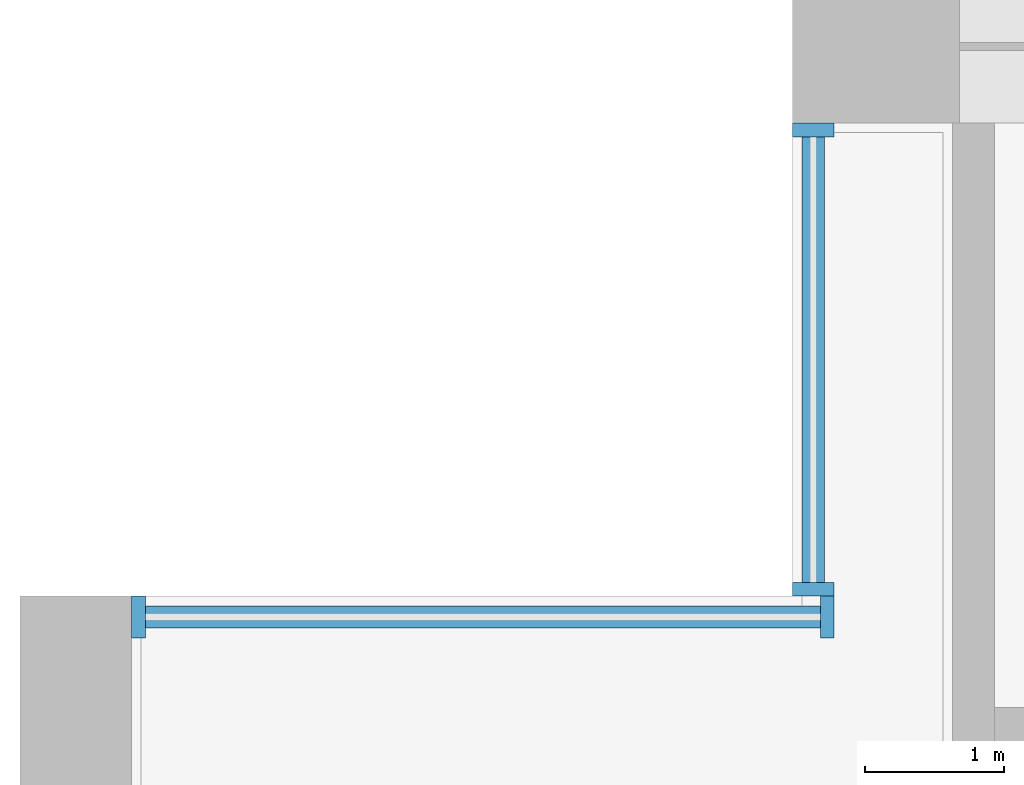
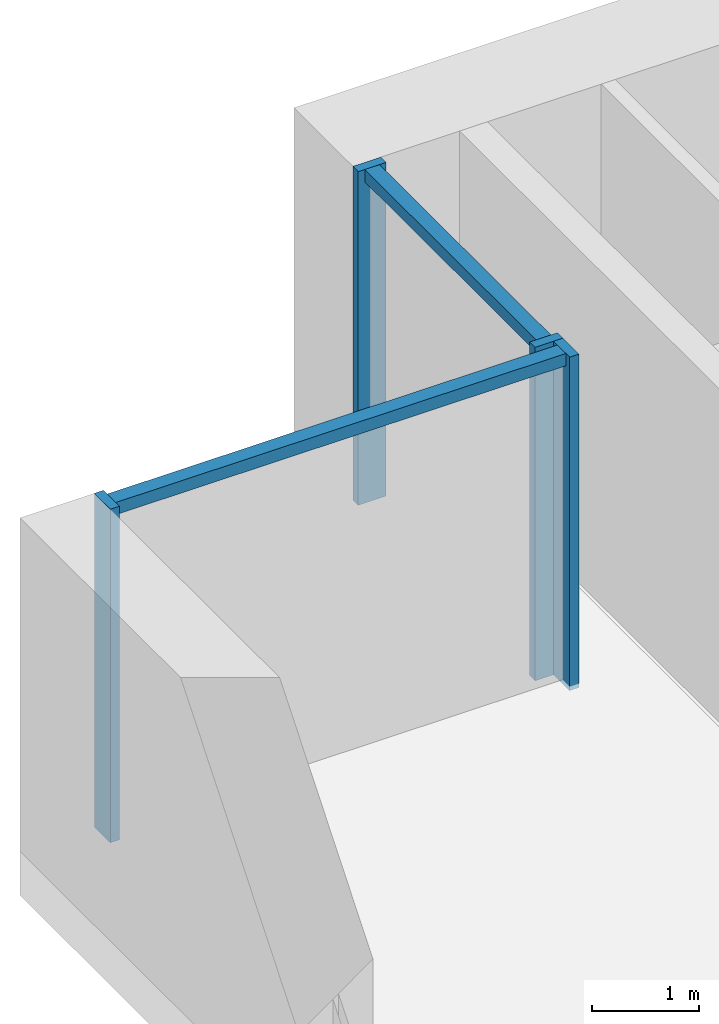
# One storey, part 4 of 17: 6 members, 2 elements without a shape of their own.
"""IFC4 building model written with IfcOpenShell, lengths in metres."""

import ifcopenshell
import ifcopenshell.guid

model = None  # the IFC model being written
_history = None  # IfcOwnerHistory: only IFC2X3 demands one
_inside = {}  # id of a spatial element -> (the spatial element, [elements in it])
_under = {}  # id of a project, library or spatial element -> (it, [spatial elements below it])
_declared = {}  # id of a project -> (the project, [libraries it declares])
_typed = {}  # id of a type object -> (the type object, [elements of that type])
_made_of = {}  # id of a material, layer set ... -> (it, [elements and type objects made of it])


def new_model(schema):
    """Start an empty IFC model of exactly this schema.

    Asked for "IFC4X3", IfcOpenShell would pick the latest addendum, in which some entities
    have other attributes; the version numbers below select the first issue.
    IFC2X3 requires an IfcOwnerHistory on every rooted entity: one is made here for all.
    """
    global model, _history
    if schema == "IFC4X3":
        model = ifcopenshell.file(schema_version=(4, 3, 0, 0))
    else:
        model = ifcopenshell.file(schema=schema)
    _inside.clear()
    _under.clear()
    _declared.clear()
    _typed.clear()
    _made_of.clear()
    _history = None
    if model.schema == "IFC2X3":
        org = make("IfcOrganization", Name="unknown")
        user = make(
            "IfcPersonAndOrganization",
            ThePerson=make("IfcPerson", FamilyName="unknown"),
            TheOrganization=org,
        )
        app = make(
            "IfcApplication",
            ApplicationDeveloper=org,
            Version="unknown",
            ApplicationFullName="unknown",
            ApplicationIdentifier="unknown",
        )
        _history = make(
            "IfcOwnerHistory",
            OwningUser=user,
            OwningApplication=app,
            ChangeAction="ADDED",
            CreationDate=0,
        )
    return model


def make(cls, **values):
    """One entity of the class cls with the attributes given. An attribute that is None is left unset."""
    return model.create_entity(
        cls, **{name: value for name, value in values.items() if value is not None}
    )


def rooted(cls, **values):
    """An entity with a GlobalId (a new one), such as an element, a storey or a relation."""
    return make(cls, GlobalId=ifcopenshell.guid.new(), OwnerHistory=_history, **values)


def si_unit(unit_type, name, prefix=None):
    """IfcSIUnit, for example si_unit("LENGTHUNIT", "METRE", prefix="MILLI")."""
    return make("IfcSIUnit", UnitType=unit_type, Prefix=prefix, Name=name)


def assignment(units):
    """IfcUnitAssignment: the units of a project."""
    return None if units is None else make("IfcUnitAssignment", Units=units)


def point(xyz):
    """IfcCartesianPoint."""
    return None if xyz is None else make("IfcCartesianPoint", Coordinates=xyz)


def direction(xyz):
    """IfcDirection."""
    return None if xyz is None else make("IfcDirection", DirectionRatios=xyz)


def frame(location, z_axis=None, x_axis=None):
    """IfcAxis2Placement3D, a coordinate frame: its origin and axes. An axis left out is left unset."""
    return make(
        "IfcAxis2Placement3D",
        Location=point(location),
        Axis=direction(z_axis),
        RefDirection=direction(x_axis),
    )


def frame_2d(location, x_axis=None):
    """IfcAxis2Placement2D, a coordinate frame in the plane: its origin and x axis."""
    return make(
        "IfcAxis2Placement2D", Location=point(location), RefDirection=direction(x_axis)
    )


def origin():
    """The frame at (0, 0, 0) with its axes left unset."""
    return frame((0.0, 0.0, 0.0))


def origin_2d():
    """The frame at (0, 0) in the plane with its x axis left unset."""
    return frame_2d((0.0, 0.0))


def place(relative_to, where):
    """IfcLocalPlacement: puts the frame where relative to a parent placement (None: the world)."""
    return make(
        "IfcLocalPlacement", PlacementRelTo=relative_to, RelativePlacement=where
    )


def context(
    kind, dimensions, precision=None, world=None, true_north=None, identifier=None
):
    """IfcGeometricRepresentationContext, for example the 3D "Model" context."""
    return make(
        "IfcGeometricRepresentationContext",
        ContextIdentifier=identifier,
        ContextType=kind,
        CoordinateSpaceDimension=dimensions,
        Precision=precision,
        WorldCoordinateSystem=world,
        TrueNorth=true_north,
    )


def subcontext(parent, identifier, kind, view, scale=None):
    """IfcGeometricRepresentationSubContext, for example "Body" below "Model"."""
    return make(
        "IfcGeometricRepresentationSubContext",
        ContextIdentifier=identifier,
        ContextType=kind,
        ParentContext=parent,
        TargetScale=scale,
        TargetView=view,
    )


def project(units=None, contexts=None):
    """IfcProject with its units and contexts."""
    return rooted(
        "IfcProject",
        Name="project",
        RepresentationContexts=contexts,
        UnitsInContext=assignment(units),
    )


def spatial(cls, under=None, at=None, **own):
    """A site, building, storey or space (cls), placed at a placement, below another one or the project."""
    s = rooted(cls, ObjectPlacement=at, **own)
    if under is not None:
        _under.setdefault(under.id(), (under, []))[1].append(s)
    return s


def profile(cls, at=None, kind="AREA", **sizes):
    """A parametric profile (cls). Its sizes go by their IFC names, for example OverallWidth=200.0."""
    return make(cls, ProfileType=kind, Position=at, **sizes)


def rectangle(**sizes):
    """IfcRectangleProfileDef."""
    return profile("IfcRectangleProfileDef", **sizes)


def extrude(swept, where, along, depth):
    """IfcExtrudedAreaSolid: the profile swept, set in the frame where, extruded along a direction by depth."""
    return make(
        "IfcExtrudedAreaSolid",
        SweptArea=swept,
        Position=where,
        ExtrudedDirection=direction(along),
        Depth=depth,
    )


def shape(context_of_items, identifier, shape_type, items):
    """IfcShapeRepresentation: the items that make up one representation, for example the "Body"."""
    return make(
        "IfcShapeRepresentation",
        ContextOfItems=context_of_items,
        RepresentationIdentifier=identifier,
        RepresentationType=shape_type,
        Items=items,
    )


def material(Name=None, Category=None):
    """IfcMaterial."""
    return make("IfcMaterial", Name=Name, Category=Category)


def material_profile(
    of_material, cross_section, Name=None, Category=None, Priority=None
):
    """IfcMaterialProfile: a cross section and its material."""
    return make(
        "IfcMaterialProfile",
        Name=Name,
        Material=of_material,
        Profile=cross_section,
        Priority=Priority,
        Category=Category,
    )


def profile_set(profiles, Name=None, composite=None):
    """IfcMaterialProfileSet."""
    return make(
        "IfcMaterialProfileSet",
        Name=Name,
        MaterialProfiles=profiles,
        CompositeProfile=composite,
    )


def made_of(thing, what):
    """Note that an element or type object is made of a material, layer set ...; save() writes the relation."""
    if what is not None:
        _made_of.setdefault(what.id(), (what, []))[1].append(thing)
    return thing


def type_object(cls, material=None, **own):
    """A type object (cls), such as IfcWallType, which elements share."""
    return made_of(rooted(cls, **own), material)


def element(
    cls,
    number,
    at=None,
    inside=None,
    cuts=None,
    type_object=None,
    material=None,
    context=None,
    identifier="Body",
    shape_type=None,
    held_by="IfcProductDefinitionShape",
    body=None,
    shapes=None,
    **own,
):
    """One element of the class cls, such as IfcWall. Its Tag is "e" and its number.

    at: its placement. inside: the storey or other place that contains it. cuts: it is an
    opening in that element (IfcRelVoidsElement). A single representation is given by context,
    identifier, shape_type and body (its items); several are given by shapes. held_by: the class
    of the entity that holds the representations. save() writes the other relations.
    """
    e = rooted(cls, Tag="e%d" % number, ObjectPlacement=at, **own)
    if body is not None:
        shapes = [shape(context, identifier, shape_type, body)]
    if shapes is not None:
        e.Representation = make(held_by, Representations=shapes)
    if inside is not None:
        _inside.setdefault(inside.id(), (inside, []))[1].append(e)
    if cuts is not None:
        rooted(
            "IfcRelVoidsElement", RelatingBuildingElement=cuts, RelatedOpeningElement=e
        )
    if type_object is not None:
        _typed.setdefault(type_object.id(), (type_object, []))[1].append(e)
    return made_of(e, material)


def aggregate(whole, parts):
    """IfcRelAggregates: a whole, such as a stair, and the parts it consists of."""
    return rooted("IfcRelAggregates", RelatingObject=whole, RelatedObjects=parts)


def save(model, path):
    """Write the relations noted so far, then the file.

    IfcRelAggregates (storeys below a building ...), IfcRelContainedInSpatialStructure (elements
    in a storey), IfcRelDefinesByType, IfcRelAssociatesMaterial and IfcRelDeclares: one each for
    every whole, place, type object, material and project.
    """
    for whole, parts in _under.values():
        aggregate(whole, parts)
    for where, things in _inside.values():
        rooted(
            "IfcRelContainedInSpatialStructure",
            RelatedElements=things,
            RelatingStructure=where,
        )
    for kind, things in _typed.values():
        rooted("IfcRelDefinesByType", RelatedObjects=things, RelatingType=kind)
    for what, things in _made_of.values():
        rooted("IfcRelAssociatesMaterial", RelatedObjects=things, RelatingMaterial=what)
    for by, libraries in _declared.values():
        rooted("IfcRelDeclares", RelatingContext=by, RelatedDefinitions=libraries)
    model.write(path)


model = new_model("IFC4")

# Units and contexts
model_context = context("Model", 3, precision=1e-05, world=origin(), true_north=direction((0.0, 1.0)))
body_context = subcontext(model_context, "Body", "Model", "MODEL_VIEW")
ifc_project = project(units=[si_unit("LENGTHUNIT", "METRE"), si_unit("AREAUNIT", "SQUARE_METRE"), si_unit("VOLUMEUNIT", "CUBIC_METRE"), si_unit("PLANEANGLEUNIT", "RADIAN"), si_unit("MASSUNIT", "GRAM", prefix="KILO")], contexts=[model_context])

# Site, building, storey
site_placement = place(None, origin())
site = spatial("IfcSite", under=ifc_project, at=site_placement, CompositionType="ELEMENT")
building_placement = place(site_placement, origin())
building = spatial("IfcBuilding", under=site, at=building_placement, Name="Calvaro Tower", CompositionType="ELEMENT")
storey_placement = place(building_placement, frame((0.0, 0.0, 17.89990234375)))
storey = spatial("IfcBuildingStorey", under=building, at=storey_placement, Name="L03", CompositionType="ELEMENT", Elevation=17.89990234375)

# Curtain wall, members
ifc_material_1 = material(Name="Anodised aluminium", Category="aluminium")
curtain_wall_type = type_object("IfcCurtainWallType", Name="Foyer curtain wall", PredefinedType="NOTDEFINED", material=ifc_material_1)
curtain_wall_1_placement = place(storey_placement, origin())
curtain_wall_1 = element("IfcCurtainWall", 1, at=curtain_wall_1_placement, inside=storey, type_object=curtain_wall_type, Name="CW6 corner curtain wall", PredefinedType="NOTDEFINED")
ifc_material_2 = material(Name="Anodised aluminium", Category="aluminium")
ifc_material_profile_1 = material_profile(ifc_material_2, rectangle(XDim=0.300048828125, YDim=0.10009765625, at=origin_2d()), Name="Mullion PF 100 x 300")
ifc_profile_set_1 = profile_set([ifc_material_profile_1], Name="Anodised aluminium")
member_type_1 = type_object("IfcMemberType", Name="Mullion PF 100 x 300", PredefinedType="MULLION", material=ifc_profile_set_1)
member_1_placement = place(storey_placement, frame((5.699951171875, 41.550048828125, 0.0), z_axis=(0.0, 0.0, 1.0), x_axis=(-1.0, 0.0, 0.0)))
member_1 = element("IfcMember", 2, at=member_1_placement, type_object=member_type_1, Name="CW6 mullion 1", PredefinedType="MULLION", context=body_context, shape_type="SweptSolid", body=[
    extrude(rectangle(XDim=0.300048828125, YDim=0.10009765625, at=origin_2d()), origin(), (0.0, 0.0, 1.0), 3.800048828125),
])
member_2_placement = place(storey_placement, frame((5.699951171875, 44.85009765625, 0.0), z_axis=(0.0, 0.0, 1.0), x_axis=(-1.0, 0.0, 0.0)))
member_2 = element("IfcMember", 3, at=member_2_placement, type_object=member_type_1, Name="CW6 mullion 2", PredefinedType="MULLION", context=body_context, shape_type="SweptSolid", body=[
    extrude(rectangle(XDim=0.300048828125, YDim=0.10009765625, at=origin_2d()), origin(), (0.0, 0.0, 1.0), 3.800048828125),
])

curtain_wall_2_placement = place(storey_placement, origin())
curtain_wall_2 = element("IfcCurtainWall", 4, at=curtain_wall_2_placement, inside=storey, type_object=curtain_wall_type, Name="CW6 corner curtain wall", PredefinedType="NOTDEFINED")
member_3_placement = place(storey_placement, frame((0.85009765625, 41.35009765625, 0.0), z_axis=(0.0, 0.0, 1.0), x_axis=(0.0, 1.0, 0.0)))
member_3 = element("IfcMember", 5, at=member_3_placement, type_object=member_type_1, Name="CW6 mullion 1", PredefinedType="MULLION", context=body_context, shape_type="SweptSolid", body=[
    extrude(rectangle(XDim=0.300048828125, YDim=0.10009765625, at=origin_2d()), origin(), (0.0, 0.0, 1.0), 3.800048828125),
])
member_4_placement = place(storey_placement, frame((5.800048828125, 41.35009765625, 0.0), z_axis=(0.0, 0.0, 1.0), x_axis=(0.0, 1.0, 0.0)))
member_4 = element("IfcMember", 6, at=member_4_placement, type_object=member_type_1, Name="CW6 mullion 2", PredefinedType="MULLION", context=body_context, shape_type="SweptSolid", body=[
    extrude(rectangle(XDim=0.300048828125, YDim=0.10009765625, at=origin_2d()), origin(), (0.0, 0.0, 1.0), 3.800048828125),
])

# Member
ifc_material_3 = material(Name="Anodised aluminium", Category="aluminium")
ifc_material_profile_2 = material_profile(ifc_material_3, rectangle(XDim=0.159912109375, YDim=0.139892578125, at=origin_2d()), Name="Transom PF 140 x 160")
ifc_profile_set_2 = profile_set([ifc_material_profile_2], Name="Anodised aluminium")
member_type_2 = type_object("IfcMemberType", Name="Transom PF 140 x 160", PredefinedType="USERDEFINED", material=ifc_profile_set_2)
member_5_placement = place(storey_placement, frame((5.699951171875, 41.60009765625, 3.72998046875), z_axis=(0.0, 1.0, 0.0), x_axis=(-1.0, 0.0, 0.0)))
member_5 = element("IfcMember", 7, at=member_5_placement, type_object=member_type_2, Name="CW6 transom 1.1", ObjectType="TRANSOM", PredefinedType="USERDEFINED", context=body_context, shape_type="SweptSolid", body=[
    extrude(rectangle(XDim=0.159912109375, YDim=0.139892578125, at=origin_2d()), origin(), (0.0, 0.0, 1.0), 3.199951171875),
])

aggregate(curtain_wall_1, [member_1, member_2, member_5])

member_6_placement = place(storey_placement, frame((0.89990234375, 41.35009765625, 3.72998046875), z_axis=(1.0, 0.0, 0.0), x_axis=(0.0, 1.0, 0.0)))
member_6 = element("IfcMember", 8, at=member_6_placement, type_object=member_type_2, Name="CW6 transom 1.1", ObjectType="TRANSOM", PredefinedType="USERDEFINED", context=body_context, shape_type="SweptSolid", body=[
    extrude(rectangle(XDim=0.159912109375, YDim=0.139892578125, at=origin_2d()), origin(), (0.0, 0.0, 1.0), 4.85009765625),
])

aggregate(curtain_wall_2, [member_3, member_4, member_6])

save(model, "model.ifc")
